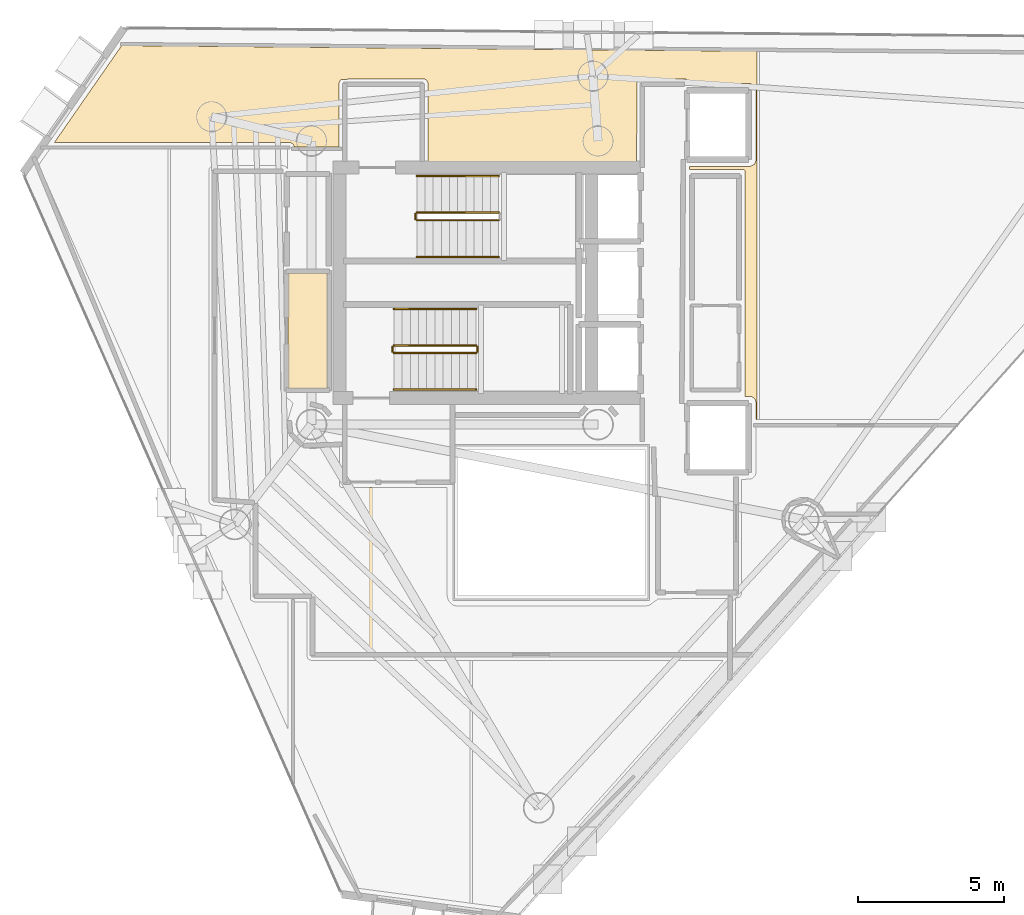
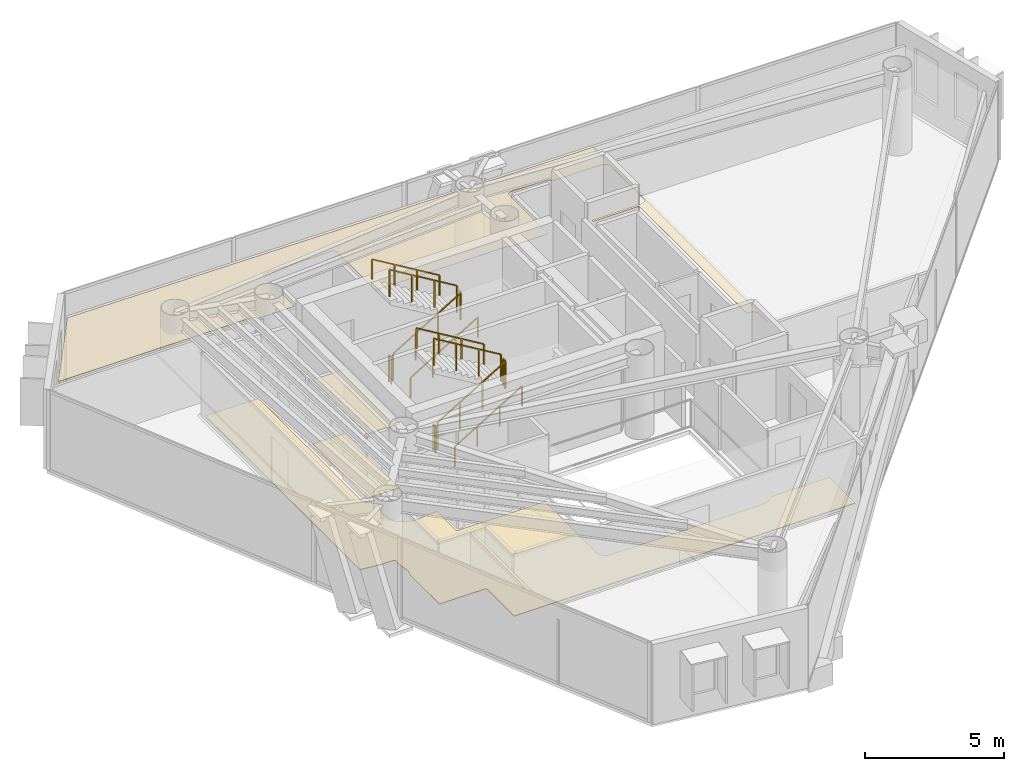
# One storey, part 20 of 21: 11 railings, 4 coverings.
"""IFC4 building model written with IfcOpenShell, lengths in metres."""

from ifc_helpers import new_model, si_unit, direction, frame, origin, origin_2d, place, context, subcontext, project, spatial, polyline, rectangle, outline, extrude, material, layer, layer_set, type_object, element, save


model = new_model("IFC4")

# Units and contexts
model_context = context("Model", 3, precision=1e-05, world=origin(), true_north=direction((0.0, 1.0)))
body_context = subcontext(model_context, "Body", "Model", "MODEL_VIEW")
ifc_project = project(units=[si_unit("LENGTHUNIT", "METRE"), si_unit("AREAUNIT", "SQUARE_METRE"), si_unit("VOLUMEUNIT", "CUBIC_METRE"), si_unit("PLANEANGLEUNIT", "RADIAN"), si_unit("MASSUNIT", "GRAM", prefix="KILO")], contexts=[model_context])

# Site, building, storey
site_placement = place(None, origin())
site = spatial("IfcSite", under=ifc_project, at=site_placement, CompositionType="ELEMENT")
building_placement = place(site_placement, origin())
building = spatial("IfcBuilding", under=site, at=building_placement, Name="Qianvela Tower", CompositionType="ELEMENT")
storey_placement = place(building_placement, frame((0.0, 0.0, 250.10009765625)))
storey = spatial("IfcBuildingStorey", under=building, at=storey_placement, Name="L64", CompositionType="ELEMENT", Elevation=250.10009765625)

# Coverings
ifc_material_1 = material(Name="Perforated Mineral Acoustic Ceiling Tile")
ifc_layer_1 = layer(ifc_material_1, 0.02490234375)
ifc_layer_set_1 = layer_set([ifc_layer_1], Name="Perforated Mineral Acoustic Ceiling Tile")
covering_type_1 = type_object("IfcCoveringType", Name="COV-CEIL-ACOUSTIC-25", PredefinedType="CEILING", material=ifc_layer_set_1)
covering_1_placement = place(storey_placement, frame((0.0, 0.0, 2.81494140625)))
element("IfcCovering", 1, at=covering_1_placement, inside=storey, type_object=covering_type_1, Name="L64 Acoustic Ceiling L64 Core Tea Pantry West", PredefinedType="CEILING", context=body_context, shape_type="SweptSolid", body=[
    extrude(outline(polyline([(27.800048828125, 25.080078125), (27.800048828125, 29.0400390625), (29.139892578125, 29.0400390625), (29.139892578125, 25.080078125), (27.800048828125, 25.080078125)])), origin(), (0.0, 0.0, 1.0), 0.02490234375),
])
covering_2_placement = place(storey_placement, frame((0.0, 0.0, 2.81494140625)))
element("IfcCovering", 2, at=covering_2_placement, inside=storey, type_object=covering_type_1, Name="L64 Acoustic Ceiling Bay 1 Maker Craft Workshop L64-04", PredefinedType="CEILING", context=body_context, shape_type="SweptSolid", body=[
    extrude(outline(polyline([(41.52001953125, 32.679931640625), (43.580078125, 32.679931640625), (43.587158203125, 32.680419921875), (43.593994140625, 32.68115234375), (43.60107421875, 32.682861328125), (43.607666015625, 32.684814453125), (43.6142578125, 32.687744140625), (43.722412109375, 32.739013671875), (43.729248046875, 32.74267578125), (43.73583984375, 32.746826171875), (43.741943359375, 32.751953125), (43.74755859375, 32.757568359375), (43.75244140625, 32.763427734375), (43.7568359375, 32.77001953125), (43.760498046875, 32.777099609375), (43.763427734375, 32.7841796875), (43.79541015625, 32.873046875), (43.7978515625, 32.8818359375), (43.799560546875, 32.890869140625), (43.800048828125, 32.89990234375), (43.800048828125, 35.300048828125), (43.799560546875, 35.307861328125), (43.798583984375, 35.315673828125), (43.796630859375, 35.3232421875), (43.77294921875, 35.40087890625), (43.770263671875, 35.408447265625), (43.76708984375, 35.41552734375), (43.762939453125, 35.422119140625), (43.75830078125, 35.428466796875), (43.7529296875, 35.434326171875), (43.747314453125, 35.439697265625), (43.740966796875, 35.4443359375), (43.734130859375, 35.4482421875), (43.61767578125, 35.510498046875), (43.610595703125, 35.513916015625), (43.603271484375, 35.5166015625), (43.595703125, 35.5185546875), (43.587890625, 35.51953125), (43.580078125, 35.52001953125), (41.513916015625, 35.52001953125), (41.51025390625, 35.564208984375), (41.50927734375, 35.57177734375), (41.5078125, 35.5791015625), (41.50537109375, 35.586181640625), (41.502197265625, 35.59326171875), (41.49853515625, 35.599853515625), (41.494140625, 35.606201171875), (41.4892578125, 35.612060546875), (41.48388671875, 35.6171875), (41.47802734375, 35.6220703125), (41.4716796875, 35.626220703125), (41.401123046875, 35.668701171875), (41.3935546875, 35.672607421875), (41.385498046875, 35.67578125), (41.377197265625, 35.677978515625), (41.36865234375, 35.679443359375), (41.360107421875, 35.679931640625), (39.8798828125, 35.679931640625), (39.871337890625, 35.679443359375), (39.86279296875, 35.677978515625), (39.8544921875, 35.67578125), (39.846435546875, 35.672607421875), (39.8388671875, 35.668701171875), (39.768310546875, 35.626220703125), (39.761474609375, 35.62158203125), (39.755126953125, 35.616455078125), (39.74951171875, 35.610595703125), (39.744384765625, 35.604248046875), (39.739990234375, 35.597412109375), (39.736083984375, 35.58984375), (39.7333984375, 35.582275390625), (39.731201171875, 35.57421875), (39.72998046875, 35.566162109375), (39.7294921875, 35.55810546875), (39.72021484375, 32.719970703125), (38.125, 32.719970703125), (38.03369140625, 32.762451171875), (38.025634765625, 32.765625), (38.017333984375, 32.76806640625), (38.0087890625, 32.76953125), (38.0, 32.77001953125), (32.580078125, 32.77001953125), (32.580078125, 35.52001953125), (32.57958984375, 35.52783203125), (32.57861328125, 35.53564453125), (32.57666015625, 35.543212890625), (32.573974609375, 35.550537109375), (32.550537109375, 35.607177734375), (32.547119140625, 35.6142578125), (32.543212890625, 35.62109375), (32.538330078125, 35.627197265625), (32.533203125, 35.633056640625), (32.52734375, 35.638427734375), (32.52099609375, 35.64306640625), (32.514404296875, 35.647216796875), (32.507080078125, 35.650390625), (32.45068359375, 35.673828125), (32.443115234375, 35.676513671875), (32.435302734375, 35.678466796875), (32.427490234375, 35.6796875), (32.41943359375, 35.679931640625), (29.648681640625, 35.661865234375), (29.640625, 35.661376953125), (29.632568359375, 35.66015625), (29.62451171875, 35.657958984375), (29.616943359375, 35.655029296875), (29.609619140625, 35.6513671875), (29.602783203125, 35.64697265625), (29.596435546875, 35.641845703125), (29.590576171875, 35.63623046875), (29.58544921875, 35.6298828125), (29.580810546875, 35.623291015625), (29.576904296875, 35.615966796875), (29.547607421875, 35.55419921875), (29.54443359375, 35.5458984375), (29.5419921875, 35.53759765625), (29.54052734375, 35.52880859375), (29.5400390625, 35.52001953125), (29.5400390625, 33.342041015625), (27.996826171875, 33.342041015625), (27.9951171875, 33.385009765625), (27.99462890625, 33.392333984375), (27.9931640625, 33.39990234375), (27.9912109375, 33.406982421875), (27.98828125, 33.4140625), (27.985107421875, 33.4208984375), (27.981201171875, 33.42724609375), (27.9765625, 33.43310546875), (27.971435546875, 33.438720703125), (27.9658203125, 33.44384765625), (27.959716796875, 33.4482421875), (27.90234375, 33.486572265625), (27.895751953125, 33.490478515625), (27.888671875, 33.493896484375), (27.881103515625, 33.49658203125), (27.87353515625, 33.49853515625), (27.86572265625, 33.49951171875), (27.85791015625, 33.5), (19.804443359375, 33.5), (22.106201171875, 36.815185546875), (43.844482421875, 36.62060546875), (43.844482421875, 24.02197265625), (43.7998046875, 24.02197265625), (43.79931640625, 24.61376953125), (43.798828125, 24.62158203125), (43.7978515625, 24.62939453125), (43.7958984375, 24.636962890625), (43.793212890625, 24.644287109375), (43.76220703125, 24.719482421875), (43.7587890625, 24.7265625), (43.754638671875, 24.7333984375), (43.75, 24.739501953125), (43.744873046875, 24.745361328125), (43.739013671875, 24.750732421875), (43.732666015625, 24.75537109375), (43.6650390625, 24.800537109375), (43.658447265625, 24.804443359375), (43.6513671875, 24.807861328125), (43.64404296875, 24.810546875), (43.636474609375, 24.8125), (43.628662109375, 24.813720703125), (43.620849609375, 24.81396484375), (43.421630859375, 24.814453125), (43.423828125, 24.8193359375), (43.426513671875, 24.826904296875), (43.428466796875, 24.83447265625), (43.4296875, 24.84228515625), (43.429931640625, 24.85009765625), (43.429931640625, 32.5), (43.4296875, 32.5078125), (43.428466796875, 32.515625), (43.426513671875, 32.523193359375), (43.423828125, 32.530517578125), (43.420654296875, 32.53759765625), (43.41650390625, 32.54443359375), (43.411865234375, 32.55078125), (43.406494140625, 32.556640625), (43.40087890625, 32.561767578125), (43.394287109375, 32.56640625), (43.3876953125, 32.570556640625), (43.380615234375, 32.573974609375), (43.373291015625, 32.57666015625), (43.365478515625, 32.57861328125), (43.35791015625, 32.57958984375), (43.35009765625, 32.580078125), (41.52001953125, 32.580078125), (41.52001953125, 32.679931640625)])), origin(), (0.0, 0.0, 1.0), 0.02490234375),
])
ifc_material_2 = material(Name="Engineered Acoustic Oak Timber Flooring", Category="wood")
ifc_layer_2 = layer(ifc_material_2, 0.02001953125)
ifc_layer_set_2 = layer_set([ifc_layer_2], Name="Engineered Acoustic Oak Timber Flooring")
covering_type_2 = type_object("IfcCoveringType", Name="COV-FLOOR-OAK-20", PredefinedType="FLOORING", material=ifc_layer_set_2)
covering_3_placement = place(storey_placement, origin())
element("IfcCovering", 3, at=covering_3_placement, inside=storey, type_object=covering_type_2, Name="L64 Finish Flooring L64 Core Tea Pantry West", PredefinedType="FLOORING", context=body_context, shape_type="SweptSolid", body=[
    extrude(outline(polyline([(27.800048828125, 25.080078125), (27.800048828125, 29.0400390625), (29.139892578125, 29.0400390625), (29.139892578125, 25.080078125), (27.800048828125, 25.080078125)])), origin(), (0.0, 0.0, 1.0), 0.02001953125),
])
ifc_material_3 = material(Name="Honed Stone Terrazzo Flooring", Category="masonry")
ifc_layer_3 = layer(ifc_material_3, 0.030029296875)
ifc_layer_set_3 = layer_set([ifc_layer_3], Name="Honed Stone Terrazzo Flooring")
covering_type_3 = type_object("IfcCoveringType", Name="COV-FLOOR-TERRAZZO-30", PredefinedType="FLOORING", material=ifc_layer_set_3)
covering_4_placement = place(storey_placement, origin())
element("IfcCovering", 4, at=covering_4_placement, inside=storey, type_object=covering_type_3, Name="L64 Finish Flooring L64 Floor Corridor", PredefinedType="FLOORING", context=body_context, shape_type="SweptSolid", body=[
    extrude(outline(polyline([(27.792724609375, 24.0185546875), (27.791015625, 24.010986328125), (27.789794921875, 24.003173828125), (27.775390625, 23.85791015625), (27.77490234375, 23.85009765625), (27.775390625, 23.84228515625), (27.776611328125, 23.83447265625), (27.833251953125, 23.54931640625), (27.835205078125, 23.541748046875), (27.837890625, 23.5341796875), (27.84130859375, 23.527099609375), (27.84521484375, 23.5205078125), (28.006591796875, 23.27880859375), (28.011474609375, 23.2724609375), (28.0166015625, 23.2666015625), (28.0224609375, 23.261474609375), (28.02880859375, 23.256591796875), (28.2705078125, 23.09521484375), (28.277099609375, 23.09130859375), (28.2841796875, 23.087890625), (28.291748046875, 23.085205078125), (28.29931640625, 23.083251953125), (28.58447265625, 23.026611328125), (28.59228515625, 23.025390625), (28.60009765625, 23.02490234375), (28.60791015625, 23.025390625), (29.55810546875, 23.118896484375), (29.55810546875, 21.780029296875), (29.558349609375, 21.772216796875), (29.5595703125, 21.764404296875), (29.561279296875, 21.7568359375), (29.564208984375, 21.74951171875), (29.5673828125, 21.7421875), (29.571533203125, 21.735595703125), (29.576171875, 21.729248046875), (29.581298828125, 21.723388671875), (29.587158203125, 21.71826171875), (29.593505859375, 21.71337890625), (29.600341796875, 21.70947265625), (29.607421875, 21.7060546875), (29.61474609375, 21.703369140625), (29.622314453125, 21.701416015625), (29.630126953125, 21.700439453125), (29.637939453125, 21.699951171875), (33.239990234375, 21.699951171875), (33.239990234375, 18.0), (33.240478515625, 17.990234375), (33.242431640625, 17.980712890625), (33.275390625, 17.8486328125), (33.277587890625, 17.841796875), (33.2802734375, 17.8349609375), (33.283447265625, 17.82861328125), (33.287353515625, 17.822509765625), (33.29150390625, 17.81689453125), (33.29638671875, 17.811279296875), (33.411376953125, 17.696533203125), (33.41796875, 17.690673828125), (33.4248046875, 17.685791015625), (33.432373046875, 17.681396484375), (33.440185546875, 17.677978515625), (33.448486328125, 17.675537109375), (33.58056640625, 17.642333984375), (33.5869140625, 17.64111328125), (33.593505859375, 17.640380859375), (33.60009765625, 17.639892578125), (40.0, 17.639892578125), (40.006591796875, 17.640380859375), (40.012939453125, 17.64111328125), (40.019287109375, 17.642333984375), (40.1513671875, 17.675537109375), (40.15869140625, 17.677734375), (40.166015625, 17.6806640625), (40.172607421875, 17.68408203125), (40.17919921875, 17.6884765625), (40.459228515625, 17.89306640625), (42.86962890625, 17.89990234375), (42.863525390625, 16.030029296875), (28.679931640625, 16.030029296875), (28.679931640625, 17.949951171875), (28.6796875, 17.957763671875), (28.678466796875, 17.965576171875), (28.676513671875, 17.97314453125), (28.673828125, 17.980712890625), (28.670654296875, 17.98779296875), (28.66650390625, 17.994384765625), (28.661865234375, 18.000732421875), (28.656494140625, 18.006591796875), (28.65087890625, 18.01171875), (28.644287109375, 18.0166015625), (28.6376953125, 18.0205078125), (28.630615234375, 18.02392578125), (28.623291015625, 18.026611328125), (28.615478515625, 18.028564453125), (28.60791015625, 18.029541015625), (28.60009765625, 18.030029296875), (26.72998046875, 18.030029296875), (26.72998046875, 20.123779296875), (26.795166015625, 20.419921875), (26.79638671875, 20.42822265625), (26.797119140625, 20.43701171875), (26.79638671875, 20.44580078125), (26.795166015625, 20.4541015625), (26.72998046875, 20.75), (26.72998046875, 21.14990234375), (26.7294921875, 21.15771484375), (26.728515625, 21.16552734375), (26.7265625, 21.173095703125), (26.723876953125, 21.1806640625), (26.720703125, 21.187744140625), (26.716552734375, 21.1943359375), (26.7119140625, 21.20068359375), (26.70654296875, 21.20654296875), (26.70068359375, 21.2119140625), (26.6943359375, 21.216552734375), (26.687744140625, 21.220703125), (26.6806640625, 21.223876953125), (26.673095703125, 21.2265625), (26.66552734375, 21.228515625), (26.65771484375, 21.2294921875), (26.64990234375, 21.22998046875), (26.18017578125, 21.22998046875), (25.330078125, 21.32470703125), (25.330078125, 32.469970703125), (27.5400390625, 32.469970703125), (27.5400390625, 25.066650390625), (27.540283203125, 25.05908203125), (27.54150390625, 25.051513671875), (27.543212890625, 25.044189453125), (27.545654296875, 25.037109375), (27.548583984375, 25.0302734375), (27.604736328125, 24.919921875), (27.6083984375, 24.91357421875), (27.612548828125, 24.90771484375), (27.6171875, 24.902099609375), (27.622314453125, 24.89697265625), (27.965087890625, 24.58642578125), (27.792724609375, 24.0185546875)])), origin(), (0.0, 0.0, 1.0), 0.02978515625),
])

# Railings
ifc_material_4 = material(Name="Painted Tubular Steel Q355B", Category="steel")
railing_type_1 = type_object("IfcRailingType", Name="RL-STAIR-GUARD-1200", PredefinedType="GUARDRAIL", material=ifc_material_4)
railing_1_placement = place(storey_placement, frame((32.199951171875, 30.840087890625, 0.16796875)))
element("IfcRailing", 5, at=railing_1_placement, inside=storey, type_object=railing_type_1, Name="L64 ST-1 stair guard 1", PredefinedType="GUARDRAIL", context=body_context, shape_type="SweptSolid", body=[
    extrude(rectangle(XDim=0.050048828125, YDim=0.0400390625, at=origin_2d()), frame((0.0, 0.0, 1.179931640625), z_axis=(0.857242210791, 0.0, 0.514913383045), x_axis=(0.0, 1.0, 0.0)), (0.0, 0.0, 1.0), 3.266357421875),
    extrude(rectangle(XDim=0.050048828125, YDim=0.050048828125, at=origin_2d()), origin(), (0.0, 0.0, 1.0), 1.159912109375),
    extrude(rectangle(XDim=0.050048828125, YDim=0.050048828125, at=origin_2d()), frame((0.933349609375, 0.0, 0.560546875)), (0.0, 0.0, 1.0), 1.159912109375),
    extrude(rectangle(XDim=0.050048828125, YDim=0.050048828125, at=origin_2d()), frame((1.86669921875, 0.0, 1.121337890625)), (0.0, 0.0, 1.0), 1.159912109375),
    extrude(rectangle(XDim=0.050048828125, YDim=0.050048828125, at=origin_2d()), frame((2.800048828125, 0.0, 1.681884765625)), (0.0, 0.0, 1.0), 1.159912109375),
])
railing_2_placement = place(storey_placement, frame((35.0, 31.10009765625, 2.01806640625)))
element("IfcRailing", 6, at=railing_2_placement, inside=storey, type_object=railing_type_1, Name="L64 ST-1 stair guard 3", PredefinedType="GUARDRAIL", context=body_context, shape_type="SweptSolid", body=[
    extrude(rectangle(XDim=0.050048828125, YDim=0.0400390625, at=origin_2d()), frame((0.0, 0.0, 1.179931640625), z_axis=(-0.857242210791, 0.0, 0.514913383045), x_axis=(0.0, -1.0, 0.0)), (0.0, 0.0, 1.0), 3.266357421875),
    extrude(rectangle(XDim=0.050048828125, YDim=0.050048828125, at=origin_2d()), origin(), (0.0, 0.0, 1.0), 1.159912109375),
    extrude(rectangle(XDim=0.050048828125, YDim=0.050048828125, at=origin_2d()), frame((-0.933349609375, 0.0, 0.560546875)), (0.0, 0.0, 1.0), 1.159912109375),
    extrude(rectangle(XDim=0.050048828125, YDim=0.050048828125, at=origin_2d()), frame((-1.86669921875, 0.0, 1.121337890625)), (0.0, 0.0, 1.0), 1.159912109375),
    extrude(rectangle(XDim=0.050048828125, YDim=0.050048828125, at=origin_2d()), frame((-2.800048828125, 0.0, 1.681884765625)), (0.0, 0.0, 1.0), 1.159912109375),
])
railing_3_placement = place(storey_placement, frame((32.14990234375, 30.889892578125, 0.0)))
element("IfcRailing", 7, at=railing_3_placement, inside=storey, type_object=railing_type_1, Name="L64 ST-1 stair guard 4", PredefinedType="GUARDRAIL", context=body_context, shape_type="SweptSolid", body=[
    extrude(rectangle(XDim=0.050048828125, YDim=0.0400390625, at=origin_2d()), frame((0.0, 0.0, 1.179931640625), z_axis=(0.0, 1.0, 0.0), x_axis=(-1.0, 0.0, 0.0)), (0.0, 0.0, 1.0), 0.16015625),
    extrude(rectangle(XDim=0.050048828125, YDim=0.050048828125, at=origin_2d()), origin(), (0.0, 0.0, 1.0), 1.159912109375),
    extrude(rectangle(XDim=0.050048828125, YDim=0.050048828125, at=origin_2d()), frame((0.0, 0.16015625, 0.0)), (0.0, 0.0, 1.0), 1.159912109375),
])
railing_4_placement = place(storey_placement, frame((31.419921875, 26.300048828125, 0.16796875)))
element("IfcRailing", 8, at=railing_4_placement, inside=storey, type_object=railing_type_1, Name="L64 ST-2 stair guard 1", PredefinedType="GUARDRAIL", context=body_context, shape_type="SweptSolid", body=[
    extrude(rectangle(XDim=0.050048828125, YDim=0.0400390625, at=origin_2d()), frame((0.0, 0.0, 1.179931640625), z_axis=(0.857242210791, 0.0, 0.514913383045), x_axis=(0.0, 1.0, 0.0)), (0.0, 0.0, 1.0), 3.266357421875),
    extrude(rectangle(XDim=0.050048828125, YDim=0.050048828125, at=origin_2d()), origin(), (0.0, 0.0, 1.0), 1.159912109375),
    extrude(rectangle(XDim=0.050048828125, YDim=0.050048828125, at=origin_2d()), frame((0.933349609375, 0.0, 0.560546875)), (0.0, 0.0, 1.0), 1.159912109375),
    extrude(rectangle(XDim=0.050048828125, YDim=0.050048828125, at=origin_2d()), frame((1.86669921875, 0.0, 1.121337890625)), (0.0, 0.0, 1.0), 1.159912109375),
    extrude(rectangle(XDim=0.050048828125, YDim=0.050048828125, at=origin_2d()), frame((2.800048828125, 0.0, 1.681884765625)), (0.0, 0.0, 1.0), 1.159912109375),
])
railing_5_placement = place(storey_placement, frame((34.27001953125, 26.35009765625, 1.849853515625)))
element("IfcRailing", 9, at=railing_5_placement, inside=storey, type_object=railing_type_1, Name="L64 ST-2 stair guard 2", PredefinedType="GUARDRAIL", context=body_context, shape_type="SweptSolid", body=[
    extrude(rectangle(XDim=0.050048828125, YDim=0.0400390625, at=origin_2d()), frame((0.0, 0.0, 1.179931640625), z_axis=(0.0, 1.0, 0.0), x_axis=(-1.0, 0.0, 0.0)), (0.0, 0.0, 1.0), 0.159912109375),
    extrude(rectangle(XDim=0.050048828125, YDim=0.050048828125, at=origin_2d()), origin(), (0.0, 0.0, 1.0), 1.159912109375),
    extrude(rectangle(XDim=0.050048828125, YDim=0.050048828125, at=origin_2d()), frame((0.0, 0.159912109375, 0.0)), (0.0, 0.0, 1.0), 1.159912109375),
])
railing_6_placement = place(storey_placement, frame((34.219970703125, 26.56005859375, 2.01806640625)))
element("IfcRailing", 10, at=railing_6_placement, inside=storey, type_object=railing_type_1, Name="L64 ST-2 stair guard 3", PredefinedType="GUARDRAIL", context=body_context, shape_type="SweptSolid", body=[
    extrude(rectangle(XDim=0.050048828125, YDim=0.0400390625, at=origin_2d()), frame((0.0, 0.0, 1.179931640625), z_axis=(-0.857242210791, 0.0, 0.514913383045), x_axis=(0.0, -1.0, 0.0)), (0.0, 0.0, 1.0), 3.266357421875),
    extrude(rectangle(XDim=0.050048828125, YDim=0.050048828125, at=origin_2d()), origin(), (0.0, 0.0, 1.0), 1.159912109375),
    extrude(rectangle(XDim=0.050048828125, YDim=0.050048828125, at=origin_2d()), frame((-0.933349609375, 0.0, 0.560546875)), (0.0, 0.0, 1.0), 1.159912109375),
    extrude(rectangle(XDim=0.050048828125, YDim=0.050048828125, at=origin_2d()), frame((-1.86669921875, 0.0, 1.121337890625)), (0.0, 0.0, 1.0), 1.159912109375),
    extrude(rectangle(XDim=0.050048828125, YDim=0.050048828125, at=origin_2d()), frame((-2.800048828125, 0.0, 1.681884765625)), (0.0, 0.0, 1.0), 1.159912109375),
])
railing_7_placement = place(storey_placement, frame((31.3701171875, 26.35009765625, 0.0)))
element("IfcRailing", 11, at=railing_7_placement, inside=storey, type_object=railing_type_1, Name="L64 ST-2 stair guard 4", PredefinedType="GUARDRAIL", context=body_context, shape_type="SweptSolid", body=[
    extrude(rectangle(XDim=0.050048828125, YDim=0.0400390625, at=origin_2d()), frame((0.0, 0.0, 1.179931640625), z_axis=(0.0, 1.0, 0.0), x_axis=(-1.0, 0.0, 0.0)), (0.0, 0.0, 1.0), 0.159912109375),
    extrude(rectangle(XDim=0.050048828125, YDim=0.050048828125, at=origin_2d()), origin(), (0.0, 0.0, 1.0), 1.159912109375),
    extrude(rectangle(XDim=0.050048828125, YDim=0.050048828125, at=origin_2d()), frame((0.0, 0.159912109375, 0.0)), (0.0, 0.0, 1.0), 1.159912109375),
])
ifc_material_5 = material(Name="Brushed Stainless Steel 304", Category="steel")
railing_type_2 = type_object("IfcRailingType", Name="RL-STAIR-HANDRAIL-900", PredefinedType="HANDRAIL", material=ifc_material_5)
railing_8_placement = place(storey_placement, frame((32.199951171875, 29.590087890625, 0.16796875)))
element("IfcRailing", 12, at=railing_8_placement, inside=storey, type_object=railing_type_2, Name="L64 ST-1 stair handrail 1", PredefinedType="HANDRAIL", context=body_context, shape_type="SweptSolid", body=[
    extrude(rectangle(XDim=0.050048828125, YDim=0.0400390625, at=origin_2d()), frame((0.0, 0.0, 0.8798828125), z_axis=(0.857242210791, 0.0, 0.514913383045), x_axis=(0.0, 1.0, 0.0)), (0.0, 0.0, 1.0), 3.266357421875),
    extrude(rectangle(XDim=0.050048828125, YDim=0.050048828125, at=origin_2d()), origin(), (0.0, 0.0, 1.0), 0.85986328125),
    extrude(rectangle(XDim=0.050048828125, YDim=0.050048828125, at=origin_2d()), frame((0.933349609375, 0.0, 0.560546875)), (0.0, 0.0, 1.0), 0.85986328125),
    extrude(rectangle(XDim=0.050048828125, YDim=0.050048828125, at=origin_2d()), frame((1.86669921875, 0.0, 1.121337890625)), (0.0, 0.0, 1.0), 0.85986328125),
    extrude(rectangle(XDim=0.050048828125, YDim=0.050048828125, at=origin_2d()), frame((2.800048828125, 0.0, 1.681884765625)), (0.0, 0.0, 1.0), 0.85986328125),
])
railing_9_placement = place(storey_placement, frame((35.0, 32.35009765625, 2.01806640625)))
element("IfcRailing", 13, at=railing_9_placement, inside=storey, type_object=railing_type_2, Name="L64 ST-1 stair handrail 2", PredefinedType="HANDRAIL", context=body_context, shape_type="SweptSolid", body=[
    extrude(rectangle(XDim=0.050048828125, YDim=0.0400390625, at=origin_2d()), frame((0.0, 0.0, 0.8798828125), z_axis=(-0.857242210791, 0.0, 0.514913383045), x_axis=(0.0, -1.0, 0.0)), (0.0, 0.0, 1.0), 3.266357421875),
    extrude(rectangle(XDim=0.050048828125, YDim=0.050048828125, at=origin_2d()), origin(), (0.0, 0.0, 1.0), 0.85986328125),
    extrude(rectangle(XDim=0.050048828125, YDim=0.050048828125, at=origin_2d()), frame((-0.933349609375, 0.0, 0.560546875)), (0.0, 0.0, 1.0), 0.85986328125),
    extrude(rectangle(XDim=0.050048828125, YDim=0.050048828125, at=origin_2d()), frame((-1.86669921875, 0.0, 1.121337890625)), (0.0, 0.0, 1.0), 0.85986328125),
    extrude(rectangle(XDim=0.050048828125, YDim=0.050048828125, at=origin_2d()), frame((-2.800048828125, 0.0, 1.681884765625)), (0.0, 0.0, 1.0), 0.85986328125),
])
railing_10_placement = place(storey_placement, frame((31.419921875, 25.050048828125, 0.16796875)))
element("IfcRailing", 14, at=railing_10_placement, inside=storey, type_object=railing_type_2, Name="L64 ST-2 stair handrail 1", PredefinedType="HANDRAIL", context=body_context, shape_type="SweptSolid", body=[
    extrude(rectangle(XDim=0.050048828125, YDim=0.0400390625, at=origin_2d()), frame((0.0, 0.0, 0.8798828125), z_axis=(0.857242210791, 0.0, 0.514913383045), x_axis=(0.0, 1.0, 0.0)), (0.0, 0.0, 1.0), 3.266357421875),
    extrude(rectangle(XDim=0.050048828125, YDim=0.050048828125, at=origin_2d()), origin(), (0.0, 0.0, 1.0), 0.85986328125),
    extrude(rectangle(XDim=0.050048828125, YDim=0.050048828125, at=origin_2d()), frame((0.933349609375, 0.0, 0.560546875)), (0.0, 0.0, 1.0), 0.85986328125),
    extrude(rectangle(XDim=0.050048828125, YDim=0.050048828125, at=origin_2d()), frame((1.86669921875, 0.0, 1.121337890625)), (0.0, 0.0, 1.0), 0.85986328125),
    extrude(rectangle(XDim=0.050048828125, YDim=0.050048828125, at=origin_2d()), frame((2.800048828125, 0.0, 1.681884765625)), (0.0, 0.0, 1.0), 0.85986328125),
])
railing_11_placement = place(storey_placement, frame((34.219970703125, 27.81005859375, 2.01806640625)))
element("IfcRailing", 15, at=railing_11_placement, inside=storey, type_object=railing_type_2, Name="L64 ST-2 stair handrail 2", PredefinedType="HANDRAIL", context=body_context, shape_type="SweptSolid", body=[
    extrude(rectangle(XDim=0.050048828125, YDim=0.0400390625, at=origin_2d()), frame((0.0, 0.0, 0.8798828125), z_axis=(-0.857242210791, 0.0, 0.514913383045), x_axis=(0.0, -1.0, 0.0)), (0.0, 0.0, 1.0), 3.266357421875),
    extrude(rectangle(XDim=0.050048828125, YDim=0.050048828125, at=origin_2d()), origin(), (0.0, 0.0, 1.0), 0.85986328125),
    extrude(rectangle(XDim=0.050048828125, YDim=0.050048828125, at=origin_2d()), frame((-0.933349609375, 0.0, 0.560546875)), (0.0, 0.0, 1.0), 0.85986328125),
    extrude(rectangle(XDim=0.050048828125, YDim=0.050048828125, at=origin_2d()), frame((-1.86669921875, 0.0, 1.121337890625)), (0.0, 0.0, 1.0), 0.85986328125),
    extrude(rectangle(XDim=0.050048828125, YDim=0.050048828125, at=origin_2d()), frame((-2.800048828125, 0.0, 1.681884765625)), (0.0, 0.0, 1.0), 0.85986328125),
])

save(model, "model.ifc")
